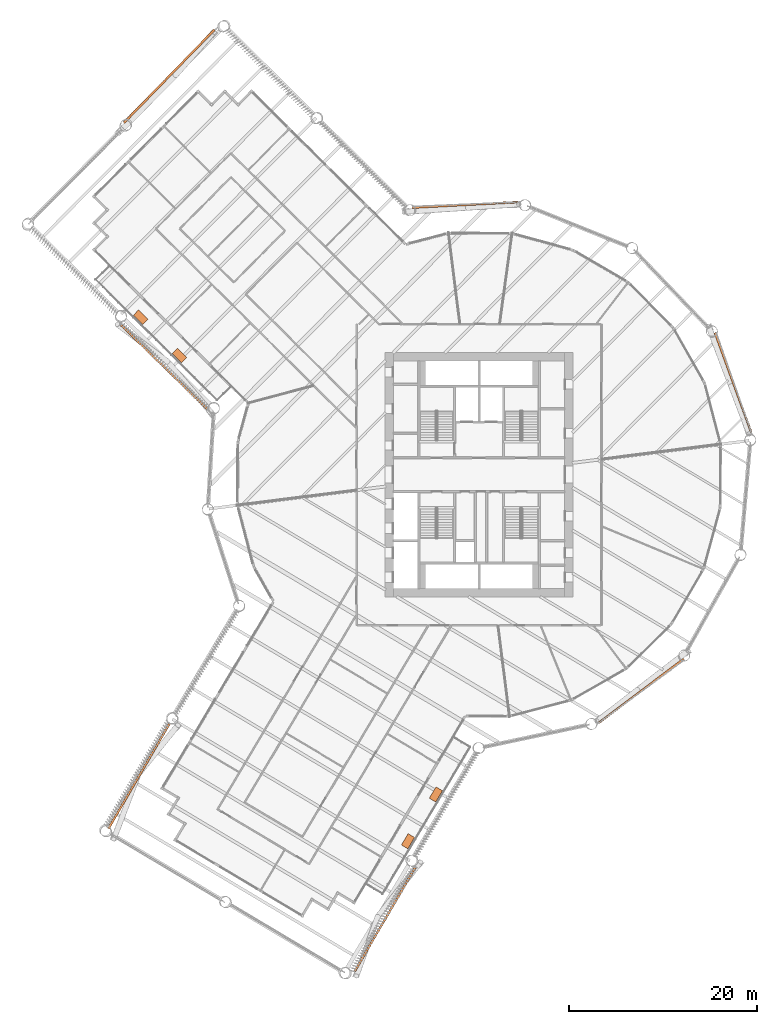
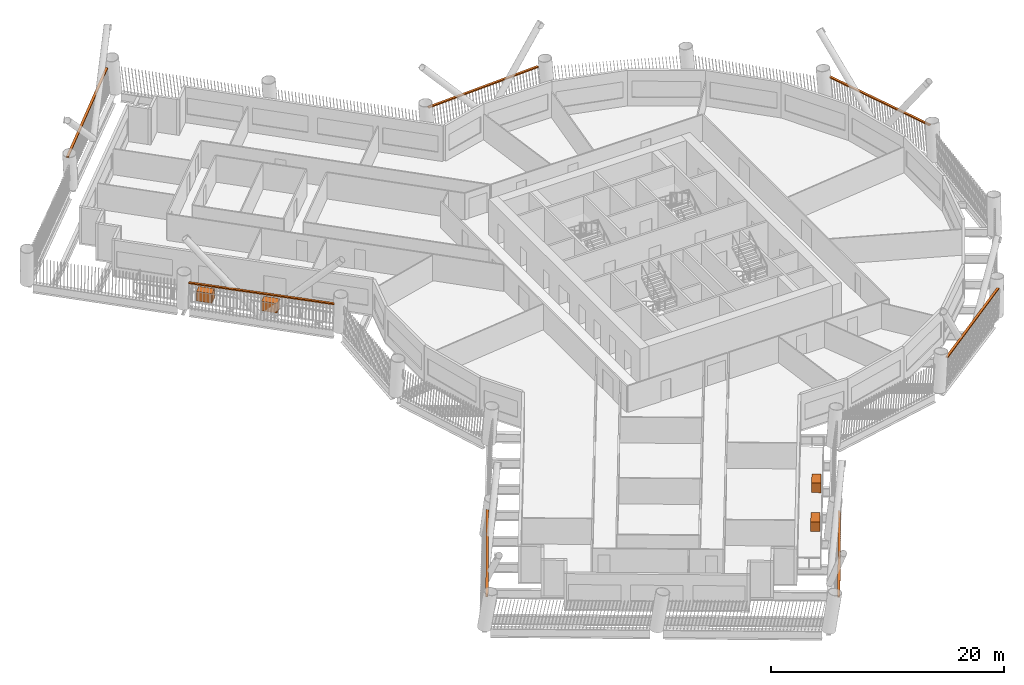
# One storey, part 22 of 22: 11 proxies.
"""IFC4 building model written with IfcOpenShell, lengths in metres."""

from ifc_helpers import new_model, si_unit, direction, frame, origin, origin_2d, place, context, subcontext, project, spatial, rectangle, extrude, material, type_object, element, save


model = new_model("IFC4")

# Units and contexts
model_context = context("Model", 3, precision=1e-05, world=origin(), true_north=direction((0.0, 1.0)))
body_context = subcontext(model_context, "Body", "Model", "MODEL_VIEW")
ifc_project = project(units=[si_unit("LENGTHUNIT", "METRE"), si_unit("AREAUNIT", "SQUARE_METRE"), si_unit("VOLUMEUNIT", "CUBIC_METRE"), si_unit("PLANEANGLEUNIT", "RADIAN"), si_unit("MASSUNIT", "GRAM", prefix="KILO")], contexts=[model_context])

# Site, building, storey
site_placement = place(None, origin())
site = spatial("IfcSite", under=ifc_project, at=site_placement, CompositionType="ELEMENT")
building_placement = place(site_placement, origin())
building = spatial("IfcBuilding", under=site, at=building_placement, Name="Tarsis Ring Headquarters", CompositionType="ELEMENT")
storey_placement = place(building_placement, frame((0.0, 0.0, 79.0)))
storey = spatial("IfcBuildingStorey", under=building, at=storey_placement, Name="L17", CompositionType="ELEMENT", Elevation=79.0)

# Proxies
ifc_material_1 = material(Name="Structural steel S355", Category="steel")
building_element_proxy_type_1 = type_object("IfcBuildingElementProxyType", Name="Screen bracket plate", PredefinedType="USERDEFINED", material=ifc_material_1)
for number, where, z_axis, x_axis, name in (
    (1, (-36.1337890625, -32.0185546875, 2.95263671875), (0.0, 0.0, 1.0), (-0.503019916461, -0.864274819512, 0.0), "Screen bracket L17-02"),
    (2, (-9.991943359375, -47.2333984375, 2.95263671875), (0.0, 0.0, 1.0), (0.503019916461, 0.864274819512, 0.0), "Screen bracket L17-05"),
):
    element("IfcBuildingElementProxy", number, at=place(storey_placement, frame(where, z_axis=z_axis, x_axis=x_axis)), inside=storey, type_object=building_element_proxy_type_1, Name=name, ObjectType="Bracket", PredefinedType="USERDEFINED", context=body_context, shape_type="SweptSolid", body=[
        extrude(rectangle(XDim=12.90234375, YDim=0.222900390625, at=origin_2d()), origin(), (0.0, 0.0, 1.0), 0.1201171875),
    ])
for number, where, z_axis, x_axis, name in (
    (3, (17.260986328125, -22.953125, 2.95263671875), (0.0, 0.0, 1.0), (0.799225682857, 0.601031037353, 0.0), "Screen bracket L17-08"),
    (4, (26.991943359375, 9.80908203125, 2.95263671875), (0.0, 0.0, 1.0), (-0.341548562891, 0.939864128046, 0.0), "Screen bracket L17-11"),
    (5, (-1.50244140625, 28.6796875, 2.95263671875), (0.0, 0.0, 1.0), (-0.998630701876, -0.052313681491, 0.0), "Screen bracket L17-14"),
):
    element("IfcBuildingElementProxy", number, at=place(storey_placement, frame(where, z_axis=z_axis, x_axis=x_axis)), inside=storey, type_object=building_element_proxy_type_1, Name=name, ObjectType="Bracket", PredefinedType="USERDEFINED", context=body_context, shape_type="SweptSolid", body=[
        extrude(rectangle(XDim=11.248779296875, YDim=0.222900390625, at=origin_2d()), origin(), (0.0, 0.0, 1.0), 0.1201171875),
    ])
proxy_1_placement = place(storey_placement, frame((-32.92578125, 42.341064453125, 2.95263671875), z_axis=(0.0, 0.0, 1.0), x_axis=(-0.697165090342, -0.716910619818, 0.0)))
element("IfcBuildingElementProxy", 6, at=proxy_1_placement, inside=storey, type_object=building_element_proxy_type_1, Name="Screen bracket L17-17", ObjectType="Bracket", PredefinedType="USERDEFINED", context=body_context, shape_type="SweptSolid", body=[
    extrude(rectangle(XDim=13.800048828125, YDim=0.222900390625, at=origin_2d()), origin(), (0.0, 0.0, 1.0), 0.1201171875),
])
proxy_2_placement = place(storey_placement, frame((-33.446533203125, 11.429931640625, 2.95263671875), z_axis=(0.0, 0.0, 1.0), x_axis=(0.716910619818, -0.697165090342, 0.0)))
element("IfcBuildingElementProxy", 7, at=proxy_2_placement, inside=storey, type_object=building_element_proxy_type_1, Name="Screen bracket L17-20", ObjectType="Bracket", PredefinedType="USERDEFINED", context=body_context, shape_type="SweptSolid", body=[
    extrude(rectangle(XDim=12.90234375, YDim=0.222900390625, at=origin_2d()), origin(), (0.0, 0.0, 1.0), 0.1201171875),
])
ifc_material_2 = material(Name="Planter soil mix and tree")
building_element_proxy_type_2 = type_object("IfcBuildingElementProxyType", Name="Tree planter", PredefinedType="USERDEFINED", material=ifc_material_2)
for number, where, z_axis, x_axis, name in (
    (8, (-35.95166015625, 16.74658203125, 0.0), (0.0, 0.0, 1.0), (0.709570736537, -0.704634209964, 0.0), "Tree planter L17-01.2"),
    (9, (-31.84130859375, 12.66455078125, 0.0), (0.0, 0.0, 1.0), (0.709570736537, -0.704634209964, 0.0), "Tree planter L17-01.3"),
    (10, (-7.555419921875, -38.94189453125, 0.0), (0.0, 0.0, 1.0), (0.512042864871, 0.858959896931, 0.0), "Tree planter L17-16.2"),
    (11, (-4.592041015625, -33.970458984375, 0.0), (0.0, 0.0, 1.0), (0.512042864871, 0.858959896931, 0.0), "Tree planter L17-16.3"),
):
    element("IfcBuildingElementProxy", number, at=place(storey_placement, frame(where, z_axis=z_axis, x_axis=x_axis)), inside=storey, type_object=building_element_proxy_type_2, Name=name, ObjectType="Planter", PredefinedType="USERDEFINED", context=body_context, shape_type="SweptSolid", body=[
        extrude(rectangle(XDim=1.39990234375, YDim=0.800048828125, at=origin_2d()), origin(), (0.0, 0.0, 1.0), 1.0),
    ])

save(model, "model.ifc")
